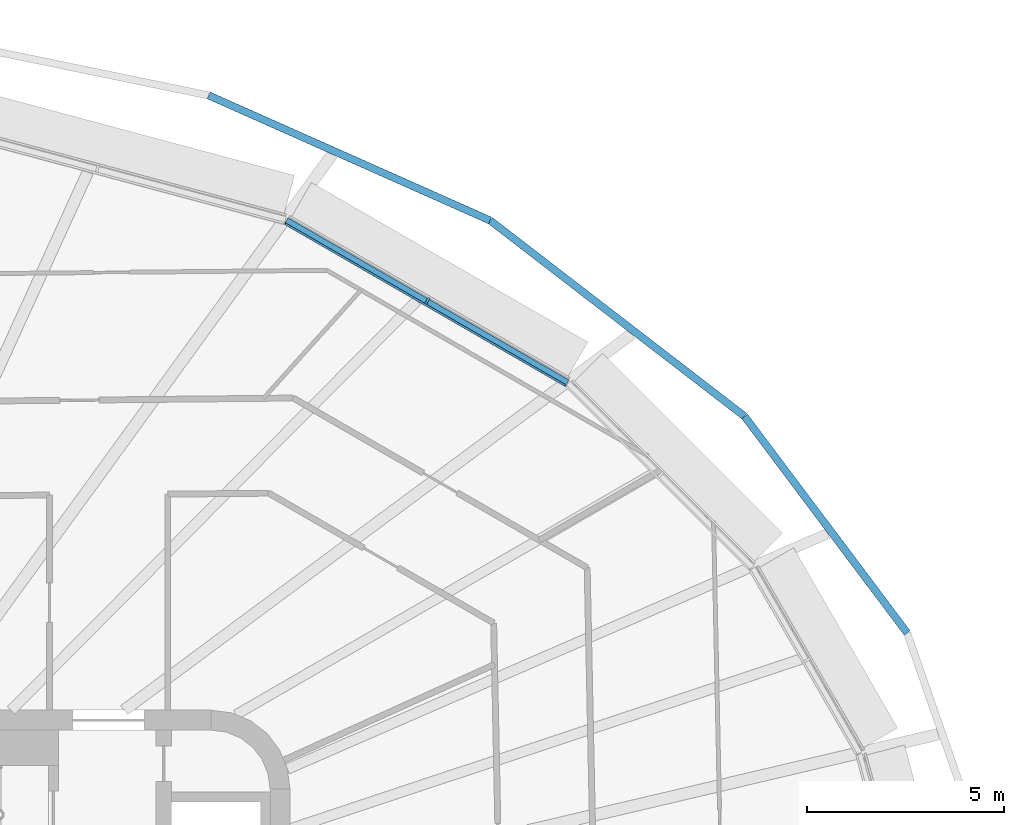
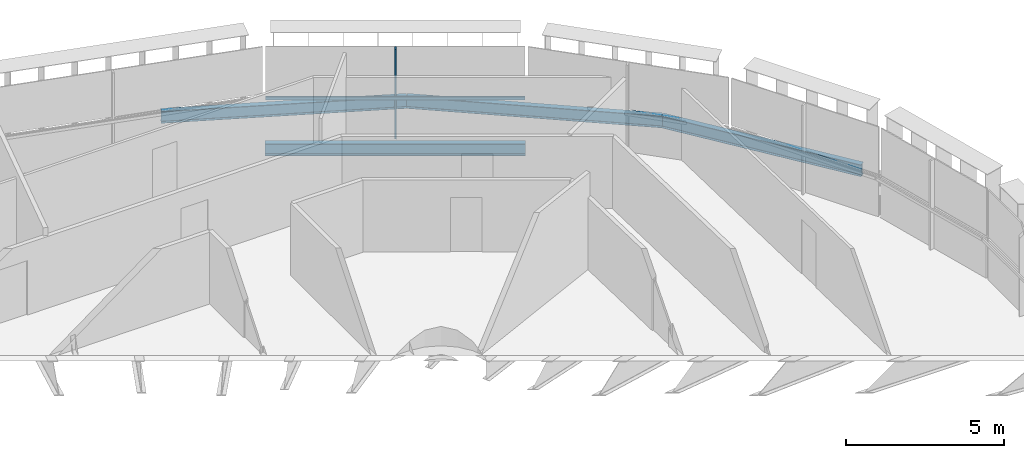
# One storey, part 7 of 22: 4 beams, 2 members, 1 element without a shape of its own.
"""IFC4 building model written with IfcOpenShell, lengths in metres."""

from ifc_helpers import new_model, si_unit, direction, frame, origin, origin_2d, place, context, subcontext, project, spatial, rectangle, i_section, extrude, material, layer, layer_set, material_profile, profile_set, type_object, element, aggregate, save


model = new_model("IFC4")

# Units and contexts
model_context = context("Model", 3, precision=1e-05, world=origin(), true_north=direction((0.0, 1.0)))
body_context = subcontext(model_context, "Body", "Model", "MODEL_VIEW")
ifc_project = project(units=[si_unit("LENGTHUNIT", "METRE"), si_unit("AREAUNIT", "SQUARE_METRE"), si_unit("VOLUMEUNIT", "CUBIC_METRE"), si_unit("PLANEANGLEUNIT", "RADIAN"), si_unit("MASSUNIT", "GRAM", prefix="KILO")], contexts=[model_context])

# Site, building, storey
site_placement = place(None, origin())
site = spatial("IfcSite", under=ifc_project, at=site_placement, CompositionType="ELEMENT")
building_placement = place(site_placement, origin())
building = spatial("IfcBuilding", under=site, at=building_placement, Name="Sahrelin Media Tower", CompositionType="ELEMENT")
storey_placement = place(building_placement, frame((0.0, 0.0, 189.60009765625)))
storey = spatial("IfcBuildingStorey", under=building, at=storey_placement, Name="L40", CompositionType="ELEMENT", Elevation=189.60009765625)

# Beam
ifc_material_1 = material(Name="Steel S355", Category="steel")
ifc_material_profile_1 = material_profile(ifc_material_1, i_section(OverallWidth=0.1904296875, OverallDepth=0.45703125, WebThickness=0.009033203125, FlangeThickness=0.014404296875, FilletRadius=0.01025390625, at=origin_2d()), Name="UB 457x191x74")
ifc_profile_set_1 = profile_set([ifc_material_profile_1], Name="Steel S355")
beam_type_1 = type_object("IfcBeamType", Name="Edge beam EB5", PredefinedType="BEAM", material=ifc_profile_set_1)
beam_1_placement = place(storey_placement, frame((14.901611328125, 20.40771484375, -0.378662109375), z_axis=(0.8660092336, -0.500028006535, 0.0), x_axis=(0.500028006535, 0.8660092336, 0.0)))
element("IfcBeam", 1, at=beam_1_placement, inside=storey, type_object=beam_type_1, Name="Edge beam L40-21", PredefinedType="BEAM", context=body_context, shape_type="SweptSolid", body=[
    extrude(i_section(OverallWidth=0.1904296875, OverallDepth=0.45703125, WebThickness=0.009033203125, FlangeThickness=0.014404296875, FilletRadius=0.01025390625, at=origin_2d()), origin(), (0.0, 0.0, 1.0), 8.23046875),
])

# Curtain wall, member
ifc_material_2 = material(Name="Champagne anodised aluminium 6063-T6", Category="aluminium")
ifc_layer = layer(ifc_material_2, 0.14990234375)
ifc_layer_set = layer_set([ifc_layer], Name="Tower ribbon curtain wall")
curtain_wall_type = type_object("IfcCurtainWallType", Name="Tower ribbon curtain wall", PredefinedType="NOTDEFINED", material=ifc_layer_set)
curtain_wall_placement = place(storey_placement, frame((18.540283203125, 18.479736328125, 0.0), z_axis=(0.0, 0.0, 1.0), x_axis=(1.0, 0.0, 0.0)))
curtain_wall = element("IfcCurtainWall", 2, at=curtain_wall_placement, inside=storey, type_object=curtain_wall_type, Name="L40:CW:L40-04", PredefinedType="NOTDEFINED")
ifc_material_profile_2 = material_profile(ifc_material_2, rectangle(XDim=0.06005859375, YDim=0.175048828125, at=origin_2d()), Name="Mullion 60x175")
ifc_profile_set_2 = profile_set([ifc_material_profile_2], Name="Champagne anodised aluminium 6063-T6")
member_type_1 = type_object("IfcMemberType", Name="Mullion 60x175 CW1B", PredefinedType="MULLION", material=ifc_profile_set_2)
member_1_placement = place(storey_placement, frame((18.48681640625, 18.38671875, 0.0), z_axis=(0.0, 0.0, 1.0), x_axis=(-0.86602365845, 0.500003022996, 0.0)))
member_1 = element("IfcMember", 3, at=member_1_placement, type_object=member_type_1, Name="L40:CWM:L40-04", PredefinedType="MULLION", context=body_context, shape_type="SweptSolid", body=[
    extrude(rectangle(XDim=0.06005859375, YDim=0.175048828125, at=origin_2d()), origin(), (0.0, 0.0, 1.0), 3.448486328125),
])

# Beams
ifc_material_profile_3 = material_profile(ifc_material_1, i_section(OverallWidth=0.1904296875, OverallDepth=0.45703125, WebThickness=0.009033203125, FlangeThickness=0.014404296875, FilletRadius=0.01025390625, at=origin_2d()), Name="UB 457x191x74")
ifc_profile_set_3 = profile_set([ifc_material_profile_3], Name="Steel S355")
beam_type_2 = type_object("IfcBeamType", Name="Tie chord TC5", PredefinedType="BEAM", material=ifc_profile_set_3)
beam_2_placement = place(storey_placement, frame((30.655029296875, 9.9599609375, -0.378662109375), z_axis=(-0.600068247982, 0.799948809465, 0.0), x_axis=(-0.799948809465, -0.600068247982, 0.0)))
element("IfcBeam", 4, at=beam_2_placement, inside=storey, type_object=beam_type_2, Name="Tie chord L40-02", PredefinedType="BEAM", context=body_context, shape_type="SweptSolid", body=[
    extrude(i_section(OverallWidth=0.1904296875, OverallDepth=0.45703125, WebThickness=0.009033203125, FlangeThickness=0.014404296875, FilletRadius=0.01025390625, at=origin_2d()), origin(), (0.0, 0.0, 1.0), 6.8681640625),
])
beam_3_placement = place(storey_placement, frame((26.53369140625, 15.4541015625, -0.378662109375), z_axis=(-0.79244682071, 0.609941010547, 0.0), x_axis=(-0.609941010547, -0.79244682071, 0.0)))
element("IfcBeam", 5, at=beam_3_placement, inside=storey, type_object=beam_type_2, Name="Tie chord L40-03", PredefinedType="BEAM", context=body_context, shape_type="SweptSolid", body=[
    extrude(i_section(OverallWidth=0.1904296875, OverallDepth=0.45703125, WebThickness=0.009033203125, FlangeThickness=0.014404296875, FilletRadius=0.01025390625, at=origin_2d()), origin(), (0.0, 0.0, 1.0), 8.146728515625),
])
beam_4_placement = place(storey_placement, frame((20.077880859375, 20.423095703125, -0.378662109375), z_axis=(-0.913825725951, 0.40610656556, 0.0), x_axis=(-0.40610656556, -0.913825725951, 0.0)))
element("IfcBeam", 6, at=beam_4_placement, inside=storey, type_object=beam_type_2, Name="Tie chord L40-04", PredefinedType="BEAM", context=body_context, shape_type="SweptSolid", body=[
    extrude(i_section(OverallWidth=0.1904296875, OverallDepth=0.45703125, WebThickness=0.009033203125, FlangeThickness=0.014404296875, FilletRadius=0.01025390625, at=origin_2d()), origin(), (0.0, 0.0, 1.0), 7.81103515625),
])

# Member
ifc_material_profile_4 = material_profile(ifc_material_2, rectangle(XDim=0.050048828125, YDim=0.110107421875, at=origin_2d()), Name="Transom 50x110")
ifc_profile_set_4 = profile_set([ifc_material_profile_4], Name="Champagne anodised aluminium 6063-T6")
member_type_2 = type_object("IfcMemberType", Name="Transom 50x110 CW1B", PredefinedType="USERDEFINED", material=ifc_profile_set_4)
member_2_placement = place(storey_placement, frame((21.980712890625, 16.239501953125, 1.599853515625), z_axis=(-0.866020958405, 0.500007699544, 0.0), x_axis=(-0.500007699544, -0.866020958405, 0.0)))
member_2 = element("IfcMember", 7, at=member_2_placement, type_object=member_type_2, Name="L40:CWT:L40-04", ObjectType="TRANSOM", PredefinedType="USERDEFINED", context=body_context, shape_type="SweptSolid", body=[
    extrude(rectangle(XDim=0.050048828125, YDim=0.110107421875, at=origin_2d()), origin(), (0.0, 0.0, 1.0), 8.198974609375),
])

aggregate(curtain_wall, [member_1, member_2])

save(model, "model.ifc")
